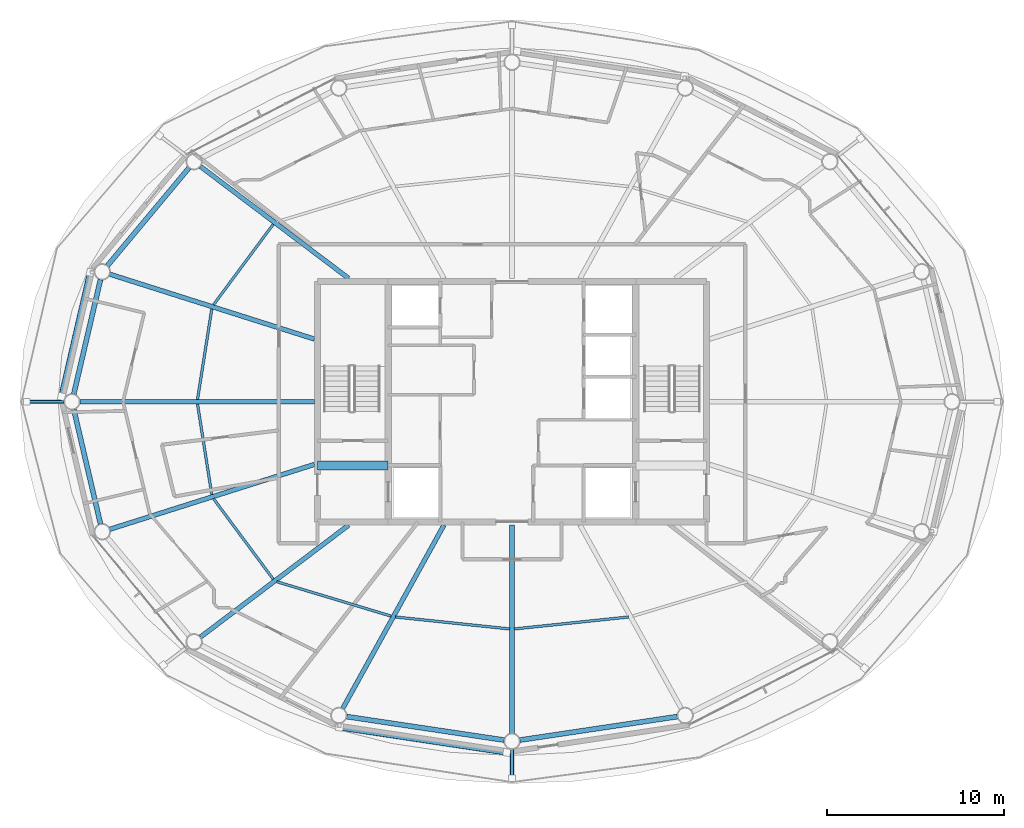
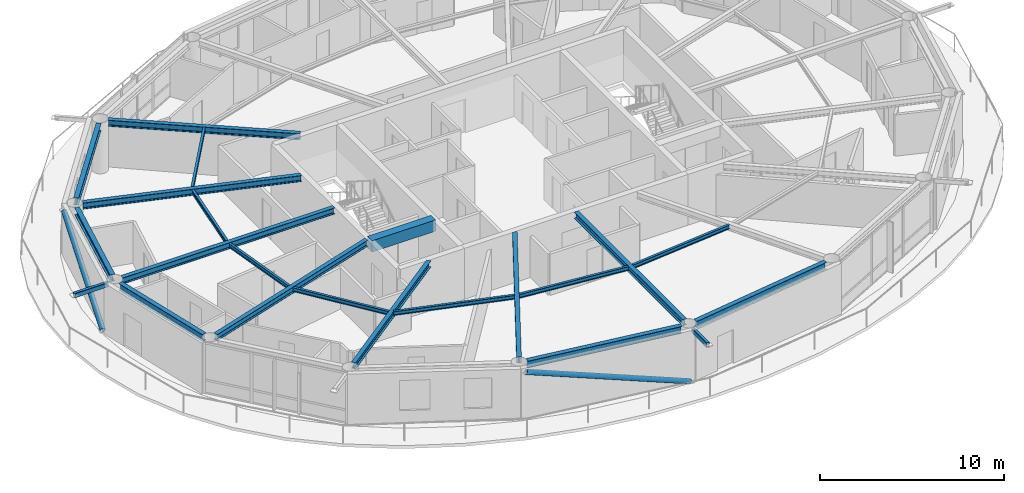
# One storey, part 4 of 22: 20 beams, 4 members.
"""IFC4 building model written with IfcOpenShell, lengths in metres."""

import ifcopenshell
import ifcopenshell.guid

model = None  # the IFC model being written
_history = None  # IfcOwnerHistory: only IFC2X3 demands one
_inside = {}  # id of a spatial element -> (the spatial element, [elements in it])
_under = {}  # id of a project, library or spatial element -> (it, [spatial elements below it])
_declared = {}  # id of a project -> (the project, [libraries it declares])
_typed = {}  # id of a type object -> (the type object, [elements of that type])
_made_of = {}  # id of a material, layer set ... -> (it, [elements and type objects made of it])


def new_model(schema):
    """Start an empty IFC model of exactly this schema.

    Asked for "IFC4X3", IfcOpenShell would pick the latest addendum, in which some entities
    have other attributes; the version numbers below select the first issue.
    IFC2X3 requires an IfcOwnerHistory on every rooted entity: one is made here for all.
    """
    global model, _history
    if schema == "IFC4X3":
        model = ifcopenshell.file(schema_version=(4, 3, 0, 0))
    else:
        model = ifcopenshell.file(schema=schema)
    _inside.clear()
    _under.clear()
    _declared.clear()
    _typed.clear()
    _made_of.clear()
    _history = None
    if model.schema == "IFC2X3":
        org = make("IfcOrganization", Name="unknown")
        user = make(
            "IfcPersonAndOrganization",
            ThePerson=make("IfcPerson", FamilyName="unknown"),
            TheOrganization=org,
        )
        app = make(
            "IfcApplication",
            ApplicationDeveloper=org,
            Version="unknown",
            ApplicationFullName="unknown",
            ApplicationIdentifier="unknown",
        )
        _history = make(
            "IfcOwnerHistory",
            OwningUser=user,
            OwningApplication=app,
            ChangeAction="ADDED",
            CreationDate=0,
        )
    return model


def make(cls, **values):
    """One entity of the class cls with the attributes given. An attribute that is None is left unset."""
    return model.create_entity(
        cls, **{name: value for name, value in values.items() if value is not None}
    )


def rooted(cls, **values):
    """An entity with a GlobalId (a new one), such as an element, a storey or a relation."""
    return make(cls, GlobalId=ifcopenshell.guid.new(), OwnerHistory=_history, **values)


def si_unit(unit_type, name, prefix=None):
    """IfcSIUnit, for example si_unit("LENGTHUNIT", "METRE", prefix="MILLI")."""
    return make("IfcSIUnit", UnitType=unit_type, Prefix=prefix, Name=name)


def assignment(units):
    """IfcUnitAssignment: the units of a project."""
    return None if units is None else make("IfcUnitAssignment", Units=units)


def point(xyz):
    """IfcCartesianPoint."""
    return None if xyz is None else make("IfcCartesianPoint", Coordinates=xyz)


def direction(xyz):
    """IfcDirection."""
    return None if xyz is None else make("IfcDirection", DirectionRatios=xyz)


def frame(location, z_axis=None, x_axis=None):
    """IfcAxis2Placement3D, a coordinate frame: its origin and axes. An axis left out is left unset."""
    return make(
        "IfcAxis2Placement3D",
        Location=point(location),
        Axis=direction(z_axis),
        RefDirection=direction(x_axis),
    )


def frame_2d(location, x_axis=None):
    """IfcAxis2Placement2D, a coordinate frame in the plane: its origin and x axis."""
    return make(
        "IfcAxis2Placement2D", Location=point(location), RefDirection=direction(x_axis)
    )


def origin():
    """The frame at (0, 0, 0) with its axes left unset."""
    return frame((0.0, 0.0, 0.0))


def origin_2d():
    """The frame at (0, 0) in the plane with its x axis left unset."""
    return frame_2d((0.0, 0.0))


def place(relative_to, where):
    """IfcLocalPlacement: puts the frame where relative to a parent placement (None: the world)."""
    return make(
        "IfcLocalPlacement", PlacementRelTo=relative_to, RelativePlacement=where
    )


def context(
    kind, dimensions, precision=None, world=None, true_north=None, identifier=None
):
    """IfcGeometricRepresentationContext, for example the 3D "Model" context."""
    return make(
        "IfcGeometricRepresentationContext",
        ContextIdentifier=identifier,
        ContextType=kind,
        CoordinateSpaceDimension=dimensions,
        Precision=precision,
        WorldCoordinateSystem=world,
        TrueNorth=true_north,
    )


def subcontext(parent, identifier, kind, view, scale=None):
    """IfcGeometricRepresentationSubContext, for example "Body" below "Model"."""
    return make(
        "IfcGeometricRepresentationSubContext",
        ContextIdentifier=identifier,
        ContextType=kind,
        ParentContext=parent,
        TargetScale=scale,
        TargetView=view,
    )


def project(units=None, contexts=None):
    """IfcProject with its units and contexts."""
    return rooted(
        "IfcProject",
        Name="project",
        RepresentationContexts=contexts,
        UnitsInContext=assignment(units),
    )


def spatial(cls, under=None, at=None, **own):
    """A site, building, storey or space (cls), placed at a placement, below another one or the project."""
    s = rooted(cls, ObjectPlacement=at, **own)
    if under is not None:
        _under.setdefault(under.id(), (under, []))[1].append(s)
    return s


def profile(cls, at=None, kind="AREA", **sizes):
    """A parametric profile (cls). Its sizes go by their IFC names, for example OverallWidth=200.0."""
    return make(cls, ProfileType=kind, Position=at, **sizes)


def rectangle(**sizes):
    """IfcRectangleProfileDef."""
    return profile("IfcRectangleProfileDef", **sizes)


def hollow_rectangle(**sizes):
    """IfcRectangleHollowProfileDef."""
    return profile("IfcRectangleHollowProfileDef", **sizes)


def hollow_circle(**sizes):
    """IfcCircleHollowProfileDef."""
    return profile("IfcCircleHollowProfileDef", **sizes)


def i_section(**sizes):
    """IfcIShapeProfileDef."""
    return profile("IfcIShapeProfileDef", **sizes)


def extrude(swept, where, along, depth):
    """IfcExtrudedAreaSolid: the profile swept, set in the frame where, extruded along a direction by depth."""
    return make(
        "IfcExtrudedAreaSolid",
        SweptArea=swept,
        Position=where,
        ExtrudedDirection=direction(along),
        Depth=depth,
    )


def shape(context_of_items, identifier, shape_type, items):
    """IfcShapeRepresentation: the items that make up one representation, for example the "Body"."""
    return make(
        "IfcShapeRepresentation",
        ContextOfItems=context_of_items,
        RepresentationIdentifier=identifier,
        RepresentationType=shape_type,
        Items=items,
    )


def material(Name=None, Category=None):
    """IfcMaterial."""
    return make("IfcMaterial", Name=Name, Category=Category)


def material_profile(
    of_material, cross_section, Name=None, Category=None, Priority=None
):
    """IfcMaterialProfile: a cross section and its material."""
    return make(
        "IfcMaterialProfile",
        Name=Name,
        Material=of_material,
        Profile=cross_section,
        Priority=Priority,
        Category=Category,
    )


def profile_set(profiles, Name=None, composite=None):
    """IfcMaterialProfileSet."""
    return make(
        "IfcMaterialProfileSet",
        Name=Name,
        MaterialProfiles=profiles,
        CompositeProfile=composite,
    )


def made_of(thing, what):
    """Note that an element or type object is made of a material, layer set ...; save() writes the relation."""
    if what is not None:
        _made_of.setdefault(what.id(), (what, []))[1].append(thing)
    return thing


def type_object(cls, material=None, **own):
    """A type object (cls), such as IfcWallType, which elements share."""
    return made_of(rooted(cls, **own), material)


def element(
    cls,
    number,
    at=None,
    inside=None,
    cuts=None,
    type_object=None,
    material=None,
    context=None,
    identifier="Body",
    shape_type=None,
    held_by="IfcProductDefinitionShape",
    body=None,
    shapes=None,
    **own,
):
    """One element of the class cls, such as IfcWall. Its Tag is "e" and its number.

    at: its placement. inside: the storey or other place that contains it. cuts: it is an
    opening in that element (IfcRelVoidsElement). A single representation is given by context,
    identifier, shape_type and body (its items); several are given by shapes. held_by: the class
    of the entity that holds the representations. save() writes the other relations.
    """
    e = rooted(cls, Tag="e%d" % number, ObjectPlacement=at, **own)
    if body is not None:
        shapes = [shape(context, identifier, shape_type, body)]
    if shapes is not None:
        e.Representation = make(held_by, Representations=shapes)
    if inside is not None:
        _inside.setdefault(inside.id(), (inside, []))[1].append(e)
    if cuts is not None:
        rooted(
            "IfcRelVoidsElement", RelatingBuildingElement=cuts, RelatedOpeningElement=e
        )
    if type_object is not None:
        _typed.setdefault(type_object.id(), (type_object, []))[1].append(e)
    return made_of(e, material)


def aggregate(whole, parts):
    """IfcRelAggregates: a whole, such as a stair, and the parts it consists of."""
    return rooted("IfcRelAggregates", RelatingObject=whole, RelatedObjects=parts)


def save(model, path):
    """Write the relations noted so far, then the file.

    IfcRelAggregates (storeys below a building ...), IfcRelContainedInSpatialStructure (elements
    in a storey), IfcRelDefinesByType, IfcRelAssociatesMaterial and IfcRelDeclares: one each for
    every whole, place, type object, material and project.
    """
    for whole, parts in _under.values():
        aggregate(whole, parts)
    for where, things in _inside.values():
        rooted(
            "IfcRelContainedInSpatialStructure",
            RelatedElements=things,
            RelatingStructure=where,
        )
    for kind, things in _typed.values():
        rooted("IfcRelDefinesByType", RelatedObjects=things, RelatingType=kind)
    for what, things in _made_of.values():
        rooted("IfcRelAssociatesMaterial", RelatedObjects=things, RelatingMaterial=what)
    for by, libraries in _declared.values():
        rooted("IfcRelDeclares", RelatingContext=by, RelatedDefinitions=libraries)
    model.write(path)


model = new_model("IFC4")

# Units and contexts
model_context = context("Model", 3, precision=1e-05, world=origin(), true_north=direction((0.0, 1.0)))
body_context = subcontext(model_context, "Body", "Model", "MODEL_VIEW")
ifc_project = project(units=[si_unit("LENGTHUNIT", "METRE"), si_unit("AREAUNIT", "SQUARE_METRE"), si_unit("VOLUMEUNIT", "CUBIC_METRE"), si_unit("PLANEANGLEUNIT", "RADIAN"), si_unit("MASSUNIT", "GRAM", prefix="KILO")], contexts=[model_context])

# Site, building, storey
site_placement = place(None, origin())
site = spatial("IfcSite", under=ifc_project, at=site_placement, CompositionType="ELEMENT")
building_placement = place(site_placement, origin())
building = spatial("IfcBuilding", under=site, at=building_placement, Name="Sarneth Arch Tower", CompositionType="ELEMENT")
storey_placement = place(building_placement, frame((0.0, 0.0, 305.39990234375)))
storey = spatial("IfcBuildingStorey", under=building, at=storey_placement, Name="L79", CompositionType="ELEMENT", Elevation=305.39990234375)

# Beams
ifc_material_1 = material(Name="Steel S355", Category="steel")
ifc_material_profile_1 = material_profile(ifc_material_1, i_section(OverallWidth=0.14794921875, OverallDepth=0.26611328125, WebThickness=0.007568359375, FlangeThickness=0.012939453125, FilletRadius=0.012939453125, at=origin_2d()), Name="W250x44.8")
ifc_profile_set_1 = profile_set([ifc_material_profile_1], Name="Steel S355")
beam_type_1 = type_object("IfcBeamType", Name="BM-JOIST-250", PredefinedType="JOIST", material=ifc_profile_set_1)
beam_1_placement = place(storey_placement, frame((34.4970703125, 52.03564453125, 3.237060546875), z_axis=(-0.595712519616, -0.803197730309, 0.0), x_axis=(0.803197730309, -0.595712519616, 0.0)))
element("IfcBeam", 1, at=beam_1_placement, inside=storey, type_object=beam_type_1, Name="L79 Secondary floor joist 07", PredefinedType="JOIST", context=body_context, shape_type="SweptSolid", body=[
    extrude(i_section(OverallWidth=0.14794921875, OverallDepth=0.26611328125, WebThickness=0.007568359375, FlangeThickness=0.012939453125, FilletRadius=0.012939453125, at=origin_2d()), origin(), (0.0, 0.0, 1.0), 5.669189453125),
])
for number, where, z_axis, x_axis, name in (
    (2, (31.0224609375, 47.249267578125, 3.237060546875), (-0.155556266572, -0.987827033407, 0.0), (0.987827033407, -0.155556266572, 0.0), "L79 Secondary floor joist 08"),
    (3, (30.216064453125, 41.87158203125, 3.237060546875), (0.155556266572, -0.987827033407, 0.0), (0.987827033407, 0.155556266572, 0.0), "L79 Secondary floor joist 09"),
):
    element("IfcBeam", number, at=place(storey_placement, frame(where, z_axis=z_axis, x_axis=x_axis)), inside=storey, type_object=beam_type_1, Name=name, PredefinedType="JOIST", context=body_context, shape_type="SweptSolid", body=[
        extrude(i_section(OverallWidth=0.14794921875, OverallDepth=0.26611328125, WebThickness=0.007568359375, FlangeThickness=0.012939453125, FilletRadius=0.012939453125, at=origin_2d()), origin(), (0.0, 0.0, 1.0), 5.183837890625),
    ])
beam_2_placement = place(storey_placement, frame((31.119873046875, 36.517822265625, 3.237060546875), z_axis=(0.595712519616, -0.803197730309, 0.0), x_axis=(0.803197730309, 0.595712519616, 0.0)))
element("IfcBeam", 4, at=beam_2_placement, inside=storey, type_object=beam_type_1, Name="L79 Secondary floor joist 10", PredefinedType="JOIST", context=body_context, shape_type="SweptSolid", body=[
    extrude(i_section(OverallWidth=0.14794921875, OverallDepth=0.26611328125, WebThickness=0.007568359375, FlangeThickness=0.012939453125, FilletRadius=0.012939453125, at=origin_2d()), origin(), (0.0, 0.0, 1.0), 5.669189453125),
])
beam_3_placement = place(storey_placement, frame((34.698974609375, 31.822509765625, 3.237060546875), z_axis=(0.95760703602, -0.288077705776, 0.0), x_axis=(0.288077705776, 0.95760703602, 0.0)))
element("IfcBeam", 5, at=beam_3_placement, inside=storey, type_object=beam_type_1, Name="L79 Secondary floor joist 11", PredefinedType="JOIST", context=body_context, shape_type="SweptSolid", body=[
    extrude(i_section(OverallWidth=0.14794921875, OverallDepth=0.26611328125, WebThickness=0.007568359375, FlangeThickness=0.012939453125, FilletRadius=0.012939453125, at=origin_2d()), origin(), (0.0, 0.0, 1.0), 6.7509765625),
])
for number, where, z_axis, x_axis, name in (
    (6, (41.417724609375, 29.82666015625, 3.237060546875), (0.994564879221, -0.104118687178, 0.0), (0.104118687178, 0.994564879221, 0.0), "L79 Secondary floor joist 12"),
    (7, (48.12939453125, 29.151123046875, 3.237060546875), (0.994564879221, 0.104118687178, 0.0), (-0.104118687178, 0.994564879221, 0.0), "L79 Secondary floor joist 13"),
):
    element("IfcBeam", number, at=place(storey_placement, frame(where, z_axis=z_axis, x_axis=x_axis)), inside=storey, type_object=beam_type_1, Name=name, PredefinedType="JOIST", context=body_context, shape_type="SweptSolid", body=[
        extrude(i_section(OverallWidth=0.14794921875, OverallDepth=0.26611328125, WebThickness=0.007568359375, FlangeThickness=0.012939453125, FilletRadius=0.012939453125, at=origin_2d()), origin(), (0.0, 0.0, 1.0), 6.488037109375),
    ])
ifc_material_2 = material(Name="Concrete C50/60", Category="concrete")
ifc_material_profile_2 = material_profile(ifc_material_2, rectangle(XDim=0.5, YDim=0.75, at=origin_2d()), Name="RC-500x750")
ifc_profile_set_2 = profile_set([ifc_material_profile_2], Name="Concrete C50/60")
beam_type_2 = type_object("IfcBeamType", Name="BM-LINTEL-RC", PredefinedType="LINTEL", material=ifc_profile_set_2)
beam_4_placement = place(storey_placement, frame((37.0, 38.39990234375, 2.9951171875), z_axis=(1.0, 0.0, 0.0), x_axis=(0.0, 1.0, 0.0)))
element("IfcBeam", 8, at=beam_4_placement, inside=storey, type_object=beam_type_2, Name="L79 Core coupling lintel W", PredefinedType="LINTEL", context=body_context, shape_type="SweptSolid", body=[
    extrude(rectangle(XDim=0.5, YDim=0.75, at=origin_2d()), origin(), (0.0, 0.0, 1.0), 4.0),
])
ifc_material_3 = material(Name="Steel S355", Category="steel")
ifc_material_profile_3 = material_profile(ifc_material_3, i_section(OverallWidth=0.260009765625, OverallDepth=0.4150390625, WebThickness=0.010009765625, FlangeThickness=0.016845703125, FilletRadius=0.01611328125, at=origin_2d()), Name="W410x100")
ifc_profile_set_3 = profile_set([ifc_material_profile_3], Name="Steel S355")
beam_type_3 = type_object("IfcBeamType", Name="BM-RAD-410A", PredefinedType="BEAM", material=ifc_profile_set_3)
beam_5_placement = place(storey_placement, frame((38.76513671875, 48.97509765625, 3.16259765625), z_axis=(-0.797981595352, 0.602681817777, 0.0), x_axis=(-0.602681817777, -0.797981595352, 0.0)))
element("IfcBeam", 9, at=beam_5_placement, inside=storey, type_object=beam_type_3, Name="L79 Radial floor girder 07", PredefinedType="BEAM", context=body_context, shape_type="SweptSolid", body=[
    extrude(i_section(OverallWidth=0.260009765625, OverallDepth=0.4150390625, WebThickness=0.010009765625, FlangeThickness=0.016845703125, FilletRadius=0.01611328125, at=origin_2d()), origin(), (0.0, 0.0, 1.0), 10.503173828125),
])
beam_6_placement = place(storey_placement, frame((36.824951171875, 45.5439453125, 3.16259765625), z_axis=(-0.95321762769, 0.302284889237, 0.0), x_axis=(-0.302284889237, -0.95321762769, 0.0)))
element("IfcBeam", 10, at=beam_6_placement, inside=storey, type_object=beam_type_3, Name="L79 Radial floor girder 08", PredefinedType="BEAM", context=body_context, shape_type="SweptSolid", body=[
    extrude(i_section(OverallWidth=0.260009765625, OverallDepth=0.4150390625, WebThickness=0.010009765625, FlangeThickness=0.016845703125, FilletRadius=0.01611328125, at=origin_2d()), origin(), (0.0, 0.0, 1.0), 12.132568359375),
])
beam_7_placement = place(storey_placement, frame((36.824951171875, 42.0, 3.16259765625), z_axis=(-1.0, 0.0, 0.0), x_axis=(0.0, -1.0, 0.0)))
element("IfcBeam", 11, at=beam_7_placement, inside=storey, type_object=beam_type_3, Name="L79 Radial floor girder 09", PredefinedType="BEAM", context=body_context, shape_type="SweptSolid", body=[
    extrude(i_section(OverallWidth=0.260009765625, OverallDepth=0.4150390625, WebThickness=0.010009765625, FlangeThickness=0.016845703125, FilletRadius=0.01611328125, at=origin_2d()), origin(), (0.0, 0.0, 1.0), 13.258056640625),
])
beam_8_placement = place(storey_placement, frame((36.824951171875, 38.4560546875, 3.16259765625), z_axis=(-0.95321762769, -0.302284889237, 0.0), x_axis=(0.302284889237, -0.95321762769, 0.0)))
element("IfcBeam", 12, at=beam_8_placement, inside=storey, type_object=beam_type_3, Name="L79 Radial floor girder 10", PredefinedType="BEAM", context=body_context, shape_type="SweptSolid", body=[
    extrude(i_section(OverallWidth=0.260009765625, OverallDepth=0.4150390625, WebThickness=0.010009765625, FlangeThickness=0.016845703125, FilletRadius=0.01611328125, at=origin_2d()), origin(), (0.0, 0.0, 1.0), 12.132568359375),
])
beam_9_placement = place(storey_placement, frame((38.76513671875, 35.02490234375, 3.16259765625), z_axis=(-0.797981595352, -0.602681817777, 0.0), x_axis=(0.602681817777, -0.797981595352, 0.0)))
element("IfcBeam", 13, at=beam_9_placement, inside=storey, type_object=beam_type_3, Name="L79 Radial floor girder 11", PredefinedType="BEAM", context=body_context, shape_type="SweptSolid", body=[
    extrude(i_section(OverallWidth=0.260009765625, OverallDepth=0.4150390625, WebThickness=0.010009765625, FlangeThickness=0.016845703125, FilletRadius=0.01611328125, at=origin_2d()), origin(), (0.0, 0.0, 1.0), 10.503173828125),
])
beam_10_placement = place(storey_placement, frame((44.150146484375, 35.02490234375, 3.16259765625), z_axis=(-0.483229367873, -0.875493790969, 0.0), x_axis=(0.875493790969, -0.483229367873, 0.0)))
element("IfcBeam", 14, at=beam_10_placement, inside=storey, type_object=beam_type_3, Name="L79 Radial floor girder 12", PredefinedType="BEAM", context=body_context, shape_type="SweptSolid", body=[
    extrude(i_section(OverallWidth=0.260009765625, OverallDepth=0.4150390625, WebThickness=0.010009765625, FlangeThickness=0.016845703125, FilletRadius=0.01611328125, at=origin_2d()), origin(), (0.0, 0.0, 1.0), 11.843994140625),
])
beam_11_placement = place(storey_placement, frame((48.0, 35.02490234375, 3.16259765625), z_axis=(0.0, -1.0, 0.0), x_axis=(1.0, 0.0, 0.0)))
element("IfcBeam", 15, at=beam_11_placement, inside=storey, type_object=beam_type_3, Name="L79 Radial floor girder 13", PredefinedType="BEAM", context=body_context, shape_type="SweptSolid", body=[
    extrude(i_section(OverallWidth=0.260009765625, OverallDepth=0.4150390625, WebThickness=0.010009765625, FlangeThickness=0.016845703125, FilletRadius=0.01611328125, at=origin_2d()), origin(), (0.0, 0.0, 1.0), 11.77490234375),
])
ifc_material_4 = material(Name="Steel S355", Category="steel")
ifc_material_profile_4 = material_profile(ifc_material_4, i_section(OverallWidth=0.280029296875, OverallDepth=0.462890625, WebThickness=0.0107421875, FlangeThickness=0.017333984375, FilletRadius=0.01806640625, at=origin_2d()), Name="W460x113")
ifc_profile_set_4 = profile_set([ifc_material_profile_4], Name="Steel S355")
beam_type_4 = type_object("IfcBeamType", Name="BM-RAD-460A", PredefinedType="BEAM", material=ifc_profile_set_4)
beam_12_placement = place(storey_placement, frame((29.736572265625, 55.230712890625, 3.138671875), z_axis=(-0.640390876881, -0.768049168222, 0.0), x_axis=(0.768049168222, -0.640390876881, 0.0)))
element("IfcBeam", 16, at=beam_12_placement, inside=storey, type_object=beam_type_4, Name="L79 Perimeter spandrel beam 07", PredefinedType="BEAM", context=body_context, shape_type="SweptSolid", body=[
    extrude(i_section(OverallWidth=0.280029296875, OverallDepth=0.462890625, WebThickness=0.0107421875, FlangeThickness=0.017333984375, FilletRadius=0.01806640625, at=origin_2d()), origin(), (0.0, 0.0, 1.0), 7.2099609375),
])
for number, where, z_axis, x_axis, name in (
    (17, (24.72900390625, 48.9091796875, 3.138671875), (-0.227247037844, -0.973837144389, 0.0), (0.973837144389, -0.227247037844, 0.0), "L79 Perimeter spandrel beam 08"),
    (18, (23.218994140625, 41.561767578125, 3.138671875), (0.227247037844, -0.973837144389, 0.0), (0.973837144389, 0.227247037844, 0.0), "L79 Perimeter spandrel beam 09"),
):
    element("IfcBeam", number, at=place(storey_placement, frame(where, z_axis=z_axis, x_axis=x_axis)), inside=storey, type_object=beam_type_4, Name=name, PredefinedType="BEAM", context=body_context, shape_type="SweptSolid", body=[
        extrude(i_section(OverallWidth=0.280029296875, OverallDepth=0.462890625, WebThickness=0.0107421875, FlangeThickness=0.017333984375, FilletRadius=0.01806640625, at=origin_2d()), origin(), (0.0, 0.0, 1.0), 6.644775390625),
    ])
for number, where, z_axis, x_axis, name in (
    (19, (38.654296875, 24.195068359375, 3.138671875), (0.989041765772, -0.147635990052, 0.0), (0.147635990052, 0.989041765772, 0.0), "L79 Perimeter spandrel beam 12"),
    (20, (48.445068359375, 22.866455078125, 3.138671875), (0.989041765772, 0.147635990052, 0.0), (-0.147635990052, 0.989041765772, 0.0), "L79 Perimeter spandrel beam 13"),
):
    element("IfcBeam", number, at=place(storey_placement, frame(where, z_axis=z_axis, x_axis=x_axis)), inside=storey, type_object=beam_type_4, Name=name, PredefinedType="BEAM", context=body_context, shape_type="SweptSolid", body=[
        extrude(i_section(OverallWidth=0.280029296875, OverallDepth=0.462890625, WebThickness=0.0107421875, FlangeThickness=0.017333984375, FilletRadius=0.01806640625, at=origin_2d()), origin(), (0.0, 0.0, 1.0), 8.999267578125),
    ])

# Members
ifc_material_5 = material(Name="Steel S355", Category="steel")
ifc_material_profile_5 = material_profile(ifc_material_5, hollow_rectangle(XDim=0.199951171875, YDim=0.300048828125, WallThickness=0.012451171875, InnerFilletRadius=0.018798828125, OuterFilletRadius=0.03125, at=origin_2d()), Name="RHS300x200x12.5")
ifc_profile_set_5 = profile_set([ifc_material_profile_5], Name="Steel S355")
member_type_1 = type_object("IfcMemberType", Name="MEM-CANT-STRUT", PredefinedType="STRUT", material=ifc_profile_set_5)
member_1_placement = place(storey_placement, frame((22.666748046875, 42.0, 3.210205078125), z_axis=(-1.0, 0.0, 0.0), x_axis=(0.0, -1.0, 0.0)))
element("IfcMember", 21, at=member_1_placement, inside=storey, type_object=member_type_1, Name="L79 Balcony cantilever bracket 09", PredefinedType="STRUT", context=body_context, shape_type="SweptSolid", body=[
    extrude(hollow_rectangle(XDim=0.199951171875, YDim=0.300048828125, WallThickness=0.012451171875, InnerFilletRadius=0.018798828125, OuterFilletRadius=0.03125, at=origin_2d()), origin(), (0.0, 0.0, 1.0), 2.113037109375),
])
member_2_placement = place(storey_placement, frame((48.0, 22.35009765625, 3.210205078125), z_axis=(0.0, -1.0, 0.0), x_axis=(1.0, 0.0, 0.0)))
element("IfcMember", 22, at=member_2_placement, inside=storey, type_object=member_type_1, Name="L79 Balcony cantilever bracket 13", PredefinedType="STRUT", context=body_context, shape_type="SweptSolid", body=[
    extrude(hollow_rectangle(XDim=0.199951171875, YDim=0.300048828125, WallThickness=0.012451171875, InnerFilletRadius=0.018798828125, OuterFilletRadius=0.03125, at=origin_2d()), origin(), (0.0, 0.0, 1.0), 1.636962890625),
])
ifc_material_6 = material(Name="Steel S355", Category="steel")
ifc_material_profile_6 = material_profile(ifc_material_6, hollow_circle(Radius=0.162109375, WallThickness=0.012451171875, at=origin_2d()), Name="CHS324x12.5")
ifc_profile_set_6 = profile_set([ifc_material_profile_6], Name="Steel S355")
member_type_2 = type_object("IfcMemberType", Name="MEM-DIAG-BR3", PredefinedType="BRACE", material=ifc_profile_set_6)
member_3_placement = place(storey_placement, frame((22.5234375, 42.292236328125, 0.02001953125), z_axis=(0.207343373373, 0.896265487877, 0.392067469651), x_axis=(-0.974268900284, 0.225388797281, 0.0)))
element("IfcMember", 23, at=member_3_placement, inside=storey, type_object=member_type_2, Name="L79 Perimeter frame diagonal 08", PredefinedType="BRACE", context=body_context, shape_type="SweptSolid", body=[
    extrude(hollow_circle(Radius=0.162109375, WallThickness=0.012451171875, at=origin_2d()), origin(), (0.0, 0.0, 1.0), 7.836181640625),
])
member_4_placement = place(storey_placement, frame((47.703369140625, 22.16455078125, 0.02001953125), z_axis=(-0.941471055877, 0.141762627625, 0.305835917372), x_axis=(-0.148897148305, -0.988852688335, 0.0)))
element("IfcMember", 24, at=member_4_placement, inside=storey, type_object=member_type_2, Name="L79 Perimeter frame diagonal 12", PredefinedType="BRACE", context=body_context, shape_type="SweptSolid", body=[
    extrude(hollow_circle(Radius=0.162109375, WallThickness=0.012451171875, at=origin_2d()), origin(), (0.0, 0.0, 1.0), 10.04541015625),
])

save(model, "model.ifc")
